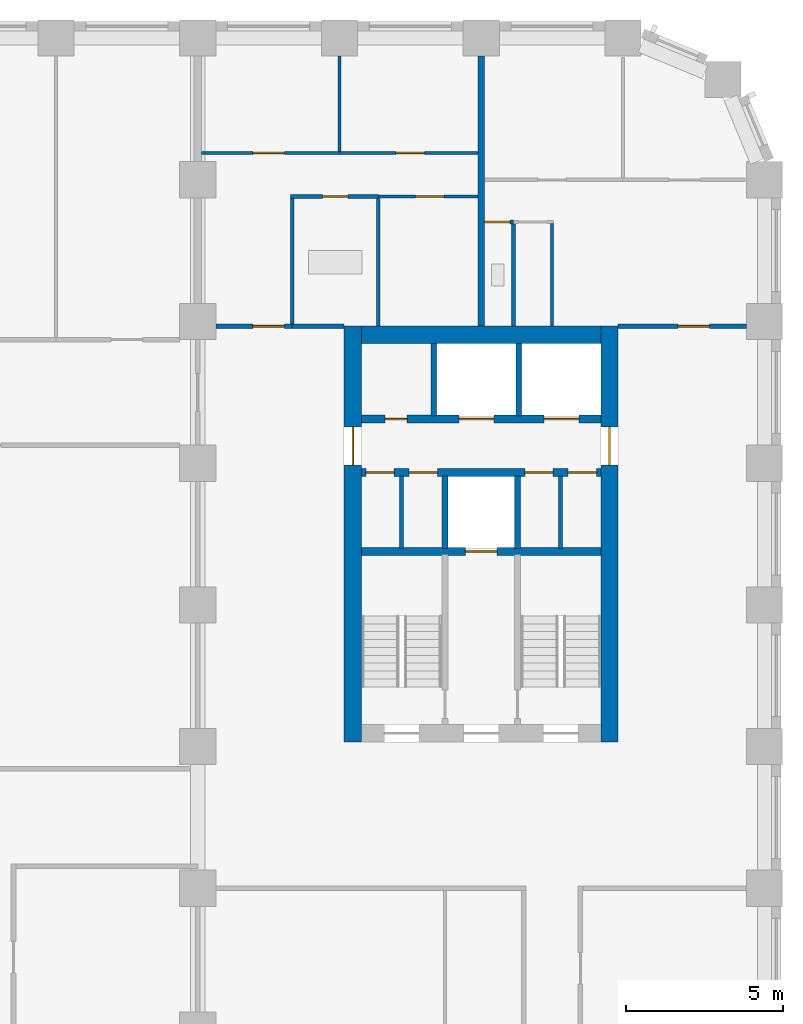
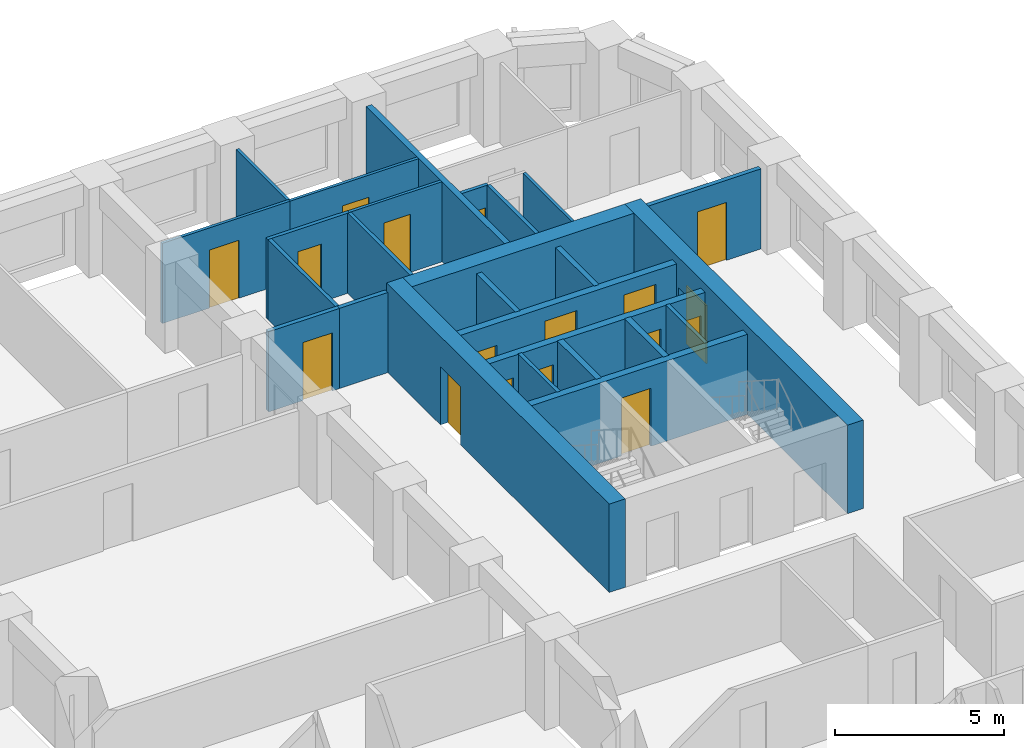
# One storey, part 8 of 12: 26 walls, 17 doors, 17 openings.
"""IFC4 building model written with IfcOpenShell, lengths in metres."""

import ifcopenshell
import ifcopenshell.guid

model = None  # the IFC model being written
_history = None  # IfcOwnerHistory: only IFC2X3 demands one
_inside = {}  # id of a spatial element -> (the spatial element, [elements in it])
_under = {}  # id of a project, library or spatial element -> (it, [spatial elements below it])
_declared = {}  # id of a project -> (the project, [libraries it declares])
_typed = {}  # id of a type object -> (the type object, [elements of that type])
_made_of = {}  # id of a material, layer set ... -> (it, [elements and type objects made of it])


def new_model(schema):
    """Start an empty IFC model of exactly this schema.

    Asked for "IFC4X3", IfcOpenShell would pick the latest addendum, in which some entities
    have other attributes; the version numbers below select the first issue.
    IFC2X3 requires an IfcOwnerHistory on every rooted entity: one is made here for all.
    """
    global model, _history
    if schema == "IFC4X3":
        model = ifcopenshell.file(schema_version=(4, 3, 0, 0))
    else:
        model = ifcopenshell.file(schema=schema)
    _inside.clear()
    _under.clear()
    _declared.clear()
    _typed.clear()
    _made_of.clear()
    _history = None
    if model.schema == "IFC2X3":
        org = make("IfcOrganization", Name="unknown")
        user = make(
            "IfcPersonAndOrganization",
            ThePerson=make("IfcPerson", FamilyName="unknown"),
            TheOrganization=org,
        )
        app = make(
            "IfcApplication",
            ApplicationDeveloper=org,
            Version="unknown",
            ApplicationFullName="unknown",
            ApplicationIdentifier="unknown",
        )
        _history = make(
            "IfcOwnerHistory",
            OwningUser=user,
            OwningApplication=app,
            ChangeAction="ADDED",
            CreationDate=0,
        )
    return model


def make(cls, **values):
    """One entity of the class cls with the attributes given. An attribute that is None is left unset."""
    return model.create_entity(
        cls, **{name: value for name, value in values.items() if value is not None}
    )


def rooted(cls, **values):
    """An entity with a GlobalId (a new one), such as an element, a storey or a relation."""
    return make(cls, GlobalId=ifcopenshell.guid.new(), OwnerHistory=_history, **values)


def si_unit(unit_type, name, prefix=None):
    """IfcSIUnit, for example si_unit("LENGTHUNIT", "METRE", prefix="MILLI")."""
    return make("IfcSIUnit", UnitType=unit_type, Prefix=prefix, Name=name)


def assignment(units):
    """IfcUnitAssignment: the units of a project."""
    return None if units is None else make("IfcUnitAssignment", Units=units)


def point(xyz):
    """IfcCartesianPoint."""
    return None if xyz is None else make("IfcCartesianPoint", Coordinates=xyz)


def direction(xyz):
    """IfcDirection."""
    return None if xyz is None else make("IfcDirection", DirectionRatios=xyz)


def frame(location, z_axis=None, x_axis=None):
    """IfcAxis2Placement3D, a coordinate frame: its origin and axes. An axis left out is left unset."""
    return make(
        "IfcAxis2Placement3D",
        Location=point(location),
        Axis=direction(z_axis),
        RefDirection=direction(x_axis),
    )


def frame_2d(location, x_axis=None):
    """IfcAxis2Placement2D, a coordinate frame in the plane: its origin and x axis."""
    return make(
        "IfcAxis2Placement2D", Location=point(location), RefDirection=direction(x_axis)
    )


def origin():
    """The frame at (0, 0, 0) with its axes left unset."""
    return frame((0.0, 0.0, 0.0))


def place(relative_to, where):
    """IfcLocalPlacement: puts the frame where relative to a parent placement (None: the world)."""
    return make(
        "IfcLocalPlacement", PlacementRelTo=relative_to, RelativePlacement=where
    )


def context(
    kind, dimensions, precision=None, world=None, true_north=None, identifier=None
):
    """IfcGeometricRepresentationContext, for example the 3D "Model" context."""
    return make(
        "IfcGeometricRepresentationContext",
        ContextIdentifier=identifier,
        ContextType=kind,
        CoordinateSpaceDimension=dimensions,
        Precision=precision,
        WorldCoordinateSystem=world,
        TrueNorth=true_north,
    )


def subcontext(parent, identifier, kind, view, scale=None):
    """IfcGeometricRepresentationSubContext, for example "Body" below "Model"."""
    return make(
        "IfcGeometricRepresentationSubContext",
        ContextIdentifier=identifier,
        ContextType=kind,
        ParentContext=parent,
        TargetScale=scale,
        TargetView=view,
    )


def project(units=None, contexts=None):
    """IfcProject with its units and contexts."""
    return rooted(
        "IfcProject",
        Name="project",
        RepresentationContexts=contexts,
        UnitsInContext=assignment(units),
    )


def spatial(cls, under=None, at=None, **own):
    """A site, building, storey or space (cls), placed at a placement, below another one or the project."""
    s = rooted(cls, ObjectPlacement=at, **own)
    if under is not None:
        _under.setdefault(under.id(), (under, []))[1].append(s)
    return s


def profile(cls, at=None, kind="AREA", **sizes):
    """A parametric profile (cls). Its sizes go by their IFC names, for example OverallWidth=200.0."""
    return make(cls, ProfileType=kind, Position=at, **sizes)


def rectangle(**sizes):
    """IfcRectangleProfileDef."""
    return profile("IfcRectangleProfileDef", **sizes)


def extrude(swept, where, along, depth):
    """IfcExtrudedAreaSolid: the profile swept, set in the frame where, extruded along a direction by depth."""
    return make(
        "IfcExtrudedAreaSolid",
        SweptArea=swept,
        Position=where,
        ExtrudedDirection=direction(along),
        Depth=depth,
    )


def shape(context_of_items, identifier, shape_type, items):
    """IfcShapeRepresentation: the items that make up one representation, for example the "Body"."""
    return make(
        "IfcShapeRepresentation",
        ContextOfItems=context_of_items,
        RepresentationIdentifier=identifier,
        RepresentationType=shape_type,
        Items=items,
    )


def material(Name=None, Category=None):
    """IfcMaterial."""
    return make("IfcMaterial", Name=Name, Category=Category)


def layer(
    of_material, thickness, ventilated=None, Name=None, Category=None, Priority=None
):
    """IfcMaterialLayer: one layer of a wall or slab, of a material (None: an air gap)."""
    return make(
        "IfcMaterialLayer",
        Material=of_material,
        LayerThickness=thickness,
        IsVentilated=ventilated,
        Name=Name,
        Category=Category,
        Priority=Priority,
    )


def layer_set(layers, Name=None):
    """IfcMaterialLayerSet."""
    return make("IfcMaterialLayerSet", MaterialLayers=layers, LayerSetName=Name)


def made_of(thing, what):
    """Note that an element or type object is made of a material, layer set ...; save() writes the relation."""
    if what is not None:
        _made_of.setdefault(what.id(), (what, []))[1].append(thing)
    return thing


def type_object(cls, material=None, **own):
    """A type object (cls), such as IfcWallType, which elements share."""
    return made_of(rooted(cls, **own), material)


def element(
    cls,
    number,
    at=None,
    inside=None,
    cuts=None,
    type_object=None,
    material=None,
    context=None,
    identifier="Body",
    shape_type=None,
    held_by="IfcProductDefinitionShape",
    body=None,
    shapes=None,
    **own,
):
    """One element of the class cls, such as IfcWall. Its Tag is "e" and its number.

    at: its placement. inside: the storey or other place that contains it. cuts: it is an
    opening in that element (IfcRelVoidsElement). A single representation is given by context,
    identifier, shape_type and body (its items); several are given by shapes. held_by: the class
    of the entity that holds the representations. save() writes the other relations.
    """
    e = rooted(cls, Tag="e%d" % number, ObjectPlacement=at, **own)
    if body is not None:
        shapes = [shape(context, identifier, shape_type, body)]
    if shapes is not None:
        e.Representation = make(held_by, Representations=shapes)
    if inside is not None:
        _inside.setdefault(inside.id(), (inside, []))[1].append(e)
    if cuts is not None:
        rooted(
            "IfcRelVoidsElement", RelatingBuildingElement=cuts, RelatedOpeningElement=e
        )
    if type_object is not None:
        _typed.setdefault(type_object.id(), (type_object, []))[1].append(e)
    return made_of(e, material)


def fill(opening, filler):
    """IfcRelFillsElement: the door or window that sits in an opening."""
    return rooted(
        "IfcRelFillsElement",
        RelatingOpeningElement=opening,
        RelatedBuildingElement=filler,
    )


def aggregate(whole, parts):
    """IfcRelAggregates: a whole, such as a stair, and the parts it consists of."""
    return rooted("IfcRelAggregates", RelatingObject=whole, RelatedObjects=parts)


def save(model, path):
    """Write the relations noted so far, then the file.

    IfcRelAggregates (storeys below a building ...), IfcRelContainedInSpatialStructure (elements
    in a storey), IfcRelDefinesByType, IfcRelAssociatesMaterial and IfcRelDeclares: one each for
    every whole, place, type object, material and project.
    """
    for whole, parts in _under.values():
        aggregate(whole, parts)
    for where, things in _inside.values():
        rooted(
            "IfcRelContainedInSpatialStructure",
            RelatedElements=things,
            RelatingStructure=where,
        )
    for kind, things in _typed.values():
        rooted("IfcRelDefinesByType", RelatedObjects=things, RelatingType=kind)
    for what, things in _made_of.values():
        rooted("IfcRelAssociatesMaterial", RelatedObjects=things, RelatingMaterial=what)
    for by, libraries in _declared.values():
        rooted("IfcRelDeclares", RelatingContext=by, RelatedDefinitions=libraries)
    model.write(path)


model = new_model("IFC4")

# Units and contexts
model_context = context("Model", 3, precision=1e-05, world=origin(), true_north=direction((0.0, 1.0)))
body_context = subcontext(model_context, "Body", "Model", "MODEL_VIEW")
ifc_project = project(units=[si_unit("LENGTHUNIT", "METRE"), si_unit("AREAUNIT", "SQUARE_METRE"), si_unit("VOLUMEUNIT", "CUBIC_METRE"), si_unit("PLANEANGLEUNIT", "RADIAN"), si_unit("MASSUNIT", "GRAM", prefix="KILO")], contexts=[model_context])

# Site, building, storey
site_placement = place(None, origin())
site = spatial("IfcSite", under=ifc_project, at=site_placement, CompositionType="ELEMENT")
building_placement = place(site_placement, origin())
building = spatial("IfcBuilding", under=site, at=building_placement, Name="Girih Gate Residences", CompositionType="ELEMENT")
storey_placement = place(building_placement, frame((0.0, 0.0, 115.199951171875)))
storey = spatial("IfcBuildingStorey", under=building, at=storey_placement, Name="L32", CompositionType="ELEMENT", Elevation=115.199951171875)

# Wall, opening, door
ifc_material_1 = material(Name="Gypsum board on steel studs", Category="steel")
ifc_layer_1 = layer(ifc_material_1, 0.14990234375)
ifc_layer_set_1 = layer_set([ifc_layer_1], Name="Compartment wall 150 mm")
wall_type_1 = type_object("IfcWallType", Name="Compartment wall 150 mm", PredefinedType="PARTITIONING", material=ifc_layer_set_1)
wall_1_placement = place(storey_placement, frame((44.85009765625, 40.35009765625, 0.0), z_axis=(0.0, 0.0, 1.0), x_axis=(1.0, 0.0, 0.0)))
wall_1 = element("IfcWall", 1, at=wall_1_placement, inside=storey, type_object=wall_type_1, Name="L32 partition", PredefinedType="PARTITIONING", context=body_context, shape_type="SweptSolid", body=[
    extrude(rectangle(XDim=4.074951171875, YDim=0.14990234375, at=frame_2d((2.03759765625, 0.0))), origin(), (0.0, 0.0, 1.0), 2.900146484375),
])
opening_1_placement = place(wall_1_placement, frame((1.89990234375, 0.0, 0.0)))
opening_1 = element("IfcOpeningElement", 2, at=opening_1_placement, cuts=wall_1, Name="Opening A32-033", PredefinedType="OPENING", context=body_context, shape_type="SweptSolid", body=[
    extrude(rectangle(XDim=1.0, YDim=2.10009765625, at=frame_2d((0.5, 1.050048828125))), frame((0.0, 0.0849609375, 0.0), z_axis=(0.0, -1.0, 0.0), x_axis=(1.0, 0.0, 0.0)), (0.0, 0.0, 1.0), 0.169921875),
])
ifc_material_2 = material(Name="Timber, fire-rated core", Category="wood")
door_type_1 = type_object("IfcDoorType", Name="Flat entrance door 1000x2100 FD30S", OperationType="NOTDEFINED", PredefinedType="DOOR", material=ifc_material_2)
door_1_placement = place(opening_1_placement, origin())
door_1 = element("IfcDoor", 3, at=door_1_placement, inside=storey, type_object=door_type_1, Name="Door A32-033", OperationType="SINGLE_SWING_RIGHT", OverallHeight=2.10009765625, OverallWidth=1.0, PredefinedType="DOOR", context=body_context, shape_type="SweptSolid", body=[
    extrude(rectangle(XDim=1.0, YDim=2.10009765625, at=frame_2d((0.5, 1.050048828125))), frame((0.0, 0.02490234375, 0.0), z_axis=(0.0, -1.0, 0.0), x_axis=(1.0, 0.0, 0.0)), (0.0, 0.0, 1.0), 0.050048828125),
])
fill(opening_1, door_1)

# Wall
wall_2_placement = place(storey_placement, frame((34.5, 40.35009765625, 0.0), z_axis=(0.0, 0.0, 1.0), x_axis=(1.0, 0.0, 0.0)))
element("IfcWall", 4, at=wall_2_placement, inside=storey, type_object=wall_type_1, Name="L32 partition", PredefinedType="PARTITIONING", context=body_context, shape_type="SweptSolid", body=[
    extrude(rectangle(XDim=1.64990234375, YDim=0.14990234375, at=frame_2d((0.824951171875, 0.0))), origin(), (0.0, 0.0, 1.0), 2.900146484375),
])

# Wall, opening, door
wall_3_placement = place(storey_placement, frame((32.074951171875, 40.35009765625, 0.0), z_axis=(0.0, 0.0, 1.0), x_axis=(1.0, 0.0, 0.0)))
wall_3 = element("IfcWall", 5, at=wall_3_placement, inside=storey, type_object=wall_type_1, Name="L32 partition", PredefinedType="PARTITIONING", context=body_context, shape_type="SweptSolid", body=[
    extrude(rectangle(XDim=2.425048828125, YDim=0.14990234375, at=frame_2d((1.21240234375, 0.0))), origin(), (0.0, 0.0, 1.0), 2.900146484375),
])
opening_2_placement = place(wall_3_placement, frame((1.175048828125, 0.0, 0.0)))
opening_2 = element("IfcOpeningElement", 6, at=opening_2_placement, cuts=wall_3, Name="Opening A32-038", PredefinedType="OPENING", context=body_context, shape_type="SweptSolid", body=[
    extrude(rectangle(XDim=1.0, YDim=2.10009765625, at=frame_2d((0.5, 1.050048828125))), frame((0.0, 0.0849609375, 0.0), z_axis=(0.0, -1.0, 0.0), x_axis=(1.0, 0.0, 0.0)), (0.0, 0.0, 1.0), 0.169921875),
])
door_2_placement = place(opening_2_placement, origin())
door_2 = element("IfcDoor", 7, at=door_2_placement, inside=storey, type_object=door_type_1, Name="Door A32-038", OperationType="SINGLE_SWING_RIGHT", OverallHeight=2.10009765625, OverallWidth=1.0, PredefinedType="DOOR", context=body_context, shape_type="SweptSolid", body=[
    extrude(rectangle(XDim=1.0, YDim=2.10009765625, at=frame_2d((0.5, 1.050048828125))), frame((0.0, 0.02490234375, 0.0), z_axis=(0.0, -1.0, 0.0), x_axis=(1.0, 0.0, 0.0)), (0.0, 0.0, 1.0), 0.050048828125),
])
fill(opening_2, door_2)

# Wall
ifc_material_3 = material(Name="Concrete C60/75", Category="concrete")
ifc_layer_2 = layer(ifc_material_3, 0.550048828125)
ifc_layer_set_2 = layer_set([ifc_layer_2], Name="Core wall RC 550 Concrete C60/75")
wall_type_2 = type_object("IfcWallType", Name="Core wall RC 550 Concrete C60/75", PredefinedType="SOLIDWALL", material=ifc_layer_set_2)
wall_4_placement = place(storey_placement, frame((36.699951171875, 40.074951171875, 0.0), z_axis=(0.0, 0.0, 1.0), x_axis=(1.0, 0.0, 0.0)))
element("IfcWall", 8, at=wall_4_placement, inside=storey, type_object=wall_type_2, Name="Core wall E-N L32", PredefinedType="SOLIDWALL", context=body_context, shape_type="SweptSolid", body=[
    extrude(rectangle(XDim=7.60009765625, YDim=0.550048828125, at=frame_2d((3.800048828125, 0.0))), origin(), (0.0, 0.0, 1.0), 3.199951171875),
])

# Wall, opening, door
wall_5_placement = place(storey_placement, frame((36.425048828125, 27.14990234375, 0.0), z_axis=(0.0, 0.0, 1.0), x_axis=(0.0, 1.0, 0.0)))
wall_5 = element("IfcWall", 9, at=wall_5_placement, inside=storey, type_object=wall_type_2, Name="Core wall E-W L32", PredefinedType="SOLIDWALL", context=body_context, shape_type="SweptSolid", body=[
    extrude(rectangle(XDim=13.2001953125, YDim=0.550048828125, at=frame_2d((6.60009765625, 0.0))), origin(), (0.0, 0.0, 1.0), 3.199951171875),
])
opening_3_placement = place(wall_5_placement, frame((8.800048828125, 0.0, 0.0)))
opening_3 = element("IfcOpeningElement", 10, at=opening_3_placement, cuts=wall_5, Name="Opening D-L32-E-014", PredefinedType="OPENING", context=body_context, shape_type="SweptSolid", body=[
    extrude(rectangle(XDim=1.199951171875, YDim=2.10009765625, at=frame_2d((0.60009765625, 1.050048828125))), frame((0.0, 0.284912109375, 0.0), z_axis=(0.0, -1.0, 0.0), x_axis=(1.0, 0.0, 0.0)), (0.0, 0.0, 1.0), 0.570068359375),
])
ifc_material_4 = material(Name="Painted steel, fire-resisting", Category="steel")
door_type_2 = type_object("IfcDoorType", Name="Fire door 1200x2100", OperationType="SINGLE_SWING_LEFT", PredefinedType="DOOR", material=ifc_material_4)
door_3_placement = place(opening_3_placement, origin())
door_3 = element("IfcDoor", 11, at=door_3_placement, inside=storey, type_object=door_type_2, Name="L32 E core door ll-w", OperationType="SINGLE_SWING_LEFT", OverallHeight=2.10009765625, OverallWidth=1.199951171875, PredefinedType="DOOR", context=body_context, shape_type="SweptSolid", body=[
    extrude(rectangle(XDim=1.199951171875, YDim=2.10009765625, at=frame_2d((0.60009765625, 1.050048828125))), frame((0.0, 0.02490234375, 0.0), z_axis=(0.0, -1.0, 0.0), x_axis=(1.0, 0.0, 0.0)), (0.0, 0.0, 1.0), 0.050048828125),
])
fill(opening_3, door_3)

wall_6_placement = place(storey_placement, frame((44.574951171875, 27.14990234375, 0.0), z_axis=(0.0, 0.0, 1.0), x_axis=(0.0, 1.0, 0.0)))
wall_6 = element("IfcWall", 12, at=wall_6_placement, inside=storey, type_object=wall_type_2, Name="Core wall E-E L32", PredefinedType="SOLIDWALL", context=body_context, shape_type="SweptSolid", body=[
    extrude(rectangle(XDim=13.2001953125, YDim=0.550048828125, at=frame_2d((6.60009765625, 0.0))), origin(), (0.0, 0.0, 1.0), 3.199951171875),
])
opening_4_placement = place(wall_6_placement, frame((8.800048828125, 0.0, 0.0)))
opening_4 = element("IfcOpeningElement", 13, at=opening_4_placement, cuts=wall_6, Name="Opening D-L32-E-015", PredefinedType="OPENING", context=body_context, shape_type="SweptSolid", body=[
    extrude(rectangle(XDim=1.199951171875, YDim=2.10009765625, at=frame_2d((0.60009765625, 1.050048828125))), frame((0.0, 0.284912109375, 0.0), z_axis=(0.0, -1.0, 0.0), x_axis=(1.0, 0.0, 0.0)), (0.0, 0.0, 1.0), 0.570068359375),
])
door_4_placement = place(opening_4_placement, origin())
door_4 = element("IfcDoor", 14, at=door_4_placement, inside=storey, type_object=door_type_2, Name="L32 E core door ll-e", OperationType="SINGLE_SWING_LEFT", OverallHeight=2.10009765625, OverallWidth=1.199951171875, PredefinedType="DOOR", context=body_context, shape_type="SweptSolid", body=[
    extrude(rectangle(XDim=1.199951171875, YDim=2.10009765625, at=frame_2d((0.60009765625, 1.050048828125))), frame((0.0, 0.02490234375, 0.0), z_axis=(0.0, -1.0, 0.0), x_axis=(1.0, 0.0, 0.0)), (0.0, 0.0, 1.0), 0.050048828125),
])
fill(opening_4, door_4)

ifc_material_5 = material(Name="Concrete C40/50", Category="concrete")
ifc_layer_3 = layer(ifc_material_5, 0.25)
ifc_layer_set_3 = layer_set([ifc_layer_3], Name="Lift shaft wall 250")
wall_type_3 = type_object("IfcWallType", Name="Lift shaft wall 250", PredefinedType="SOLIDWALL", material=ifc_layer_set_3)
wall_7_placement = place(storey_placement, frame((36.699951171875, 33.199951171875, 0.0), z_axis=(0.0, 0.0, 1.0), x_axis=(1.0, 0.0, 0.0)))
wall_7 = element("IfcWall", 15, at=wall_7_placement, inside=storey, type_object=wall_type_3, Name="L32 E core wall H1", PredefinedType="SOLIDWALL", context=body_context, shape_type="SweptSolid", body=[
    extrude(rectangle(XDim=7.60009765625, YDim=0.25, at=frame_2d((3.800048828125, 0.0))), origin(), (0.0, 0.0, 1.0), 2.900146484375),
])
opening_5_placement = place(wall_7_placement, frame((3.300048828125, 0.0, 0.0)))
opening_5 = element("IfcOpeningElement", 16, at=opening_5_placement, cuts=wall_7, Name="Opening D-L32-E-005", PredefinedType="OPENING", context=body_context, shape_type="SweptSolid", body=[
    extrude(rectangle(XDim=1.0, YDim=2.10009765625, at=frame_2d((0.5, 1.050048828125))), frame((0.0, 0.135009765625, 0.0), z_axis=(0.0, -1.0, 0.0), x_axis=(1.0, 0.0, 0.0)), (0.0, 0.0, 1.0), 0.27001953125),
])
ifc_material_6 = material(Name="Stainless steel, fire-resisting", Category="steel")
door_type_3 = type_object("IfcDoorType", Name="Firefighting lift landing door 1000x2100", OperationType="SLIDING_TO_LEFT", PredefinedType="DOOR", material=ifc_material_6)
door_5_placement = place(opening_5_placement, origin())
door_5 = element("IfcDoor", 17, at=door_5_placement, inside=storey, type_object=door_type_3, Name="L32 lift FF-E landing door", OperationType="SLIDING_TO_LEFT", OverallHeight=2.10009765625, OverallWidth=1.0, PredefinedType="DOOR", context=body_context, shape_type="SweptSolid", body=[
    extrude(rectangle(XDim=1.0, YDim=2.10009765625, at=frame_2d((0.5, 1.050048828125))), frame((0.0, 0.02490234375, 0.0), z_axis=(0.0, -1.0, 0.0), x_axis=(1.0, 0.0, 0.0)), (0.0, 0.0, 1.0), 0.050048828125),
])
fill(opening_5, door_5)

# Wall, openings, doors
wall_8_placement = place(storey_placement, frame((36.699951171875, 35.699951171875, 0.0), z_axis=(0.0, 0.0, 1.0), x_axis=(1.0, 0.0, 0.0)))
wall_8 = element("IfcWall", 18, at=wall_8_placement, inside=storey, type_object=wall_type_3, Name="L32 E core wall H2", PredefinedType="SOLIDWALL", context=body_context, shape_type="SweptSolid", body=[
    extrude(rectangle(XDim=7.60009765625, YDim=0.25, at=frame_2d((3.800048828125, 0.0))), origin(), (0.0, 0.0, 1.0), 2.900146484375),
])
opening_6_placement = place(wall_8_placement, frame((6.5625, 0.0, 0.0)))
opening_6 = element("IfcOpeningElement", 19, at=opening_6_placement, cuts=wall_8, Name="Opening D-L32-E-007", PredefinedType="OPENING", context=body_context, shape_type="SweptSolid", body=[
    extrude(rectangle(XDim=0.89990234375, YDim=2.10009765625, at=frame_2d((0.449951171875, 1.050048828125))), frame((0.0, 0.135009765625, 0.0), z_axis=(0.0, -1.0, 0.0), x_axis=(1.0, 0.0, 0.0)), (0.0, 0.0, 1.0), 0.27001953125),
])
opening_7_placement = place(wall_8_placement, frame((5.1875, 0.0, 0.0)))
opening_7 = element("IfcOpeningElement", 20, at=opening_7_placement, cuts=wall_8, Name="Opening D-L32-E-008", PredefinedType="OPENING", context=body_context, shape_type="SweptSolid", body=[
    extrude(rectangle(XDim=0.89990234375, YDim=2.10009765625, at=frame_2d((0.449951171875, 1.050048828125))), frame((0.0, 0.135009765625, 0.0), z_axis=(0.0, -1.0, 0.0), x_axis=(1.0, 0.0, 0.0)), (0.0, 0.0, 1.0), 0.27001953125),
])
opening_8_placement = place(wall_8_placement, frame((1.512451171875, 0.0, 0.0)))
opening_8 = element("IfcOpeningElement", 21, at=opening_8_placement, cuts=wall_8, Name="Opening D-L32-E-009", PredefinedType="OPENING", context=body_context, shape_type="SweptSolid", body=[
    extrude(rectangle(XDim=0.89990234375, YDim=2.10009765625, at=frame_2d((0.449951171875, 1.050048828125))), frame((0.0, 0.135009765625, 0.0), z_axis=(0.0, -1.0, 0.0), x_axis=(1.0, 0.0, 0.0)), (0.0, 0.0, 1.0), 0.27001953125),
])
opening_9_placement = place(wall_8_placement, frame((0.137451171875, 0.0, 0.0)))
opening_9 = element("IfcOpeningElement", 22, at=opening_9_placement, cuts=wall_8, Name="Opening D-L32-E-010", PredefinedType="OPENING", context=body_context, shape_type="SweptSolid", body=[
    extrude(rectangle(XDim=0.89990234375, YDim=2.10009765625, at=frame_2d((0.449951171875, 1.050048828125))), frame((0.0, 0.135009765625, 0.0), z_axis=(0.0, -1.0, 0.0), x_axis=(1.0, 0.0, 0.0)), (0.0, 0.0, 1.0), 0.27001953125),
])
door_type_4 = type_object("IfcDoorType", Name="Fire door 900x2100", OperationType="SINGLE_SWING_LEFT", PredefinedType="DOOR", material=ifc_material_4)
door_6_placement = place(opening_6_placement, origin())
door_6 = element("IfcDoor", 23, at=door_6_placement, inside=storey, type_object=door_type_4, Name="L32 E maintenance store door", OperationType="SINGLE_SWING_LEFT", OverallHeight=2.10009765625, OverallWidth=0.89990234375, PredefinedType="DOOR", context=body_context, shape_type="SweptSolid", body=[
    extrude(rectangle(XDim=0.89990234375, YDim=2.10009765625, at=frame_2d((0.449951171875, 1.050048828125))), frame((0.0, 0.02490234375, 0.0), z_axis=(0.0, -1.0, 0.0), x_axis=(1.0, 0.0, 0.0)), (0.0, 0.0, 1.0), 0.050048828125),
])
fill(opening_6, door_6)
door_7_placement = place(opening_7_placement, origin())
door_7 = element("IfcDoor", 24, at=door_7_placement, inside=storey, type_object=door_type_4, Name="L32 E electrical room door", OperationType="SINGLE_SWING_LEFT", OverallHeight=2.10009765625, OverallWidth=0.89990234375, PredefinedType="DOOR", context=body_context, shape_type="SweptSolid", body=[
    extrude(rectangle(XDim=0.89990234375, YDim=2.10009765625, at=frame_2d((0.449951171875, 1.050048828125))), frame((0.0, 0.02490234375, 0.0), z_axis=(0.0, -1.0, 0.0), x_axis=(1.0, 0.0, 0.0)), (0.0, 0.0, 1.0), 0.050048828125),
])
fill(opening_7, door_7)
door_8_placement = place(opening_8_placement, origin())
door_8 = element("IfcDoor", 25, at=door_8_placement, inside=storey, type_object=door_type_4, Name="L32 E linen store door", OperationType="SINGLE_SWING_LEFT", OverallHeight=2.10009765625, OverallWidth=0.89990234375, PredefinedType="DOOR", context=body_context, shape_type="SweptSolid", body=[
    extrude(rectangle(XDim=0.89990234375, YDim=2.10009765625, at=frame_2d((0.449951171875, 1.050048828125))), frame((0.0, 0.02490234375, 0.0), z_axis=(0.0, -1.0, 0.0), x_axis=(1.0, 0.0, 0.0)), (0.0, 0.0, 1.0), 0.050048828125),
])
fill(opening_8, door_8)
door_9_placement = place(opening_9_placement, origin())
door_9 = element("IfcDoor", 26, at=door_9_placement, inside=storey, type_object=door_type_4, Name="L32 E store door", OperationType="SINGLE_SWING_LEFT", OverallHeight=2.10009765625, OverallWidth=0.89990234375, PredefinedType="DOOR", context=body_context, shape_type="SweptSolid", body=[
    extrude(rectangle(XDim=0.89990234375, YDim=2.10009765625, at=frame_2d((0.449951171875, 1.050048828125))), frame((0.0, 0.02490234375, 0.0), z_axis=(0.0, -1.0, 0.0), x_axis=(1.0, 0.0, 0.0)), (0.0, 0.0, 1.0), 0.050048828125),
])
fill(opening_9, door_9)

wall_9_placement = place(storey_placement, frame((36.699951171875, 37.39990234375, 0.0), z_axis=(0.0, 0.0, 1.0), x_axis=(1.0, 0.0, 0.0)))
wall_9 = element("IfcWall", 27, at=wall_9_placement, inside=storey, type_object=wall_type_3, Name="L32 E core wall H3", PredefinedType="SOLIDWALL", context=body_context, shape_type="SweptSolid", body=[
    extrude(rectangle(XDim=7.60009765625, YDim=0.25, at=frame_2d((3.800048828125, 0.0))), origin(), (0.0, 0.0, 1.0), 2.900146484375),
])
opening_10_placement = place(wall_9_placement, frame((5.800048828125, 0.0, 0.0)))
opening_10 = element("IfcOpeningElement", 28, at=opening_10_placement, cuts=wall_9, Name="Opening D-L32-E-003", PredefinedType="OPENING", context=body_context, shape_type="SweptSolid", body=[
    extrude(rectangle(XDim=1.10009765625, YDim=2.39990234375, at=frame_2d((0.550048828125, 1.199951171875))), frame((0.0, 0.135009765625, 0.0), z_axis=(0.0, -1.0, 0.0), x_axis=(1.0, 0.0, 0.0)), (0.0, 0.0, 1.0), 0.27001953125),
])
opening_11_placement = place(wall_9_placement, frame((3.10009765625, 0.0, 0.0)))
opening_11 = element("IfcOpeningElement", 29, at=opening_11_placement, cuts=wall_9, Name="Opening D-L32-E-004", PredefinedType="OPENING", context=body_context, shape_type="SweptSolid", body=[
    extrude(rectangle(XDim=1.10009765625, YDim=2.39990234375, at=frame_2d((0.550048828125, 1.199951171875))), frame((0.0, 0.135009765625, 0.0), z_axis=(0.0, -1.0, 0.0), x_axis=(1.0, 0.0, 0.0)), (0.0, 0.0, 1.0), 0.27001953125),
])
opening_12_placement = place(wall_9_placement, frame((0.75, 0.0, 0.0)))
opening_12 = element("IfcOpeningElement", 30, at=opening_12_placement, cuts=wall_9, Name="Opening D-L32-E-006", PredefinedType="OPENING", context=body_context, shape_type="SweptSolid", body=[
    extrude(rectangle(XDim=0.699951171875, YDim=2.10009765625, at=frame_2d((0.35009765625, 1.050048828125))), frame((0.0, 0.135009765625, 0.0), z_axis=(0.0, -1.0, 0.0), x_axis=(1.0, 0.0, 0.0)), (0.0, 0.0, 1.0), 0.27001953125),
])
ifc_material_7 = material(Name="Stainless steel", Category="steel")
door_type_5 = type_object("IfcDoorType", Name="Lift landing door 1100x2400", OperationType="SLIDING_TO_LEFT", PredefinedType="DOOR", material=ifc_material_7)
door_10_placement = place(opening_10_placement, origin())
door_10 = element("IfcDoor", 31, at=door_10_placement, inside=storey, type_object=door_type_5, Name="L32 lift LR-E1 landing door", OperationType="SLIDING_TO_LEFT", OverallHeight=2.39990234375, OverallWidth=1.10009765625, PredefinedType="DOOR", context=body_context, shape_type="SweptSolid", body=[
    extrude(rectangle(XDim=1.10009765625, YDim=2.39990234375, at=frame_2d((0.550048828125, 1.199951171875))), frame((0.0, 0.02490234375, 0.0), z_axis=(0.0, -1.0, 0.0), x_axis=(1.0, 0.0, 0.0)), (0.0, 0.0, 1.0), 0.050048828125),
])
fill(opening_10, door_10)
door_11_placement = place(opening_11_placement, origin())
door_11 = element("IfcDoor", 32, at=door_11_placement, inside=storey, type_object=door_type_5, Name="L32 lift LR-E2 landing door", OperationType="SLIDING_TO_LEFT", OverallHeight=2.39990234375, OverallWidth=1.10009765625, PredefinedType="DOOR", context=body_context, shape_type="SweptSolid", body=[
    extrude(rectangle(XDim=1.10009765625, YDim=2.39990234375, at=frame_2d((0.550048828125, 1.199951171875))), frame((0.0, 0.02490234375, 0.0), z_axis=(0.0, -1.0, 0.0), x_axis=(1.0, 0.0, 0.0)), (0.0, 0.0, 1.0), 0.050048828125),
])
fill(opening_11, door_11)
door_type_6 = type_object("IfcDoorType", Name="Riser access door 700x2100", OperationType="SINGLE_SWING_LEFT", PredefinedType="DOOR", material=ifc_material_4)
door_12_placement = place(opening_12_placement, origin())
door_12 = element("IfcDoor", 33, at=door_12_placement, inside=storey, type_object=door_type_6, Name="L32 E riser room door", OperationType="SINGLE_SWING_LEFT", OverallHeight=2.10009765625, OverallWidth=0.699951171875, PredefinedType="DOOR", context=body_context, shape_type="SweptSolid", body=[
    extrude(rectangle(XDim=0.699951171875, YDim=2.10009765625, at=frame_2d((0.35009765625, 1.050048828125))), frame((0.0, 0.02490234375, 0.0), z_axis=(0.0, -1.0, 0.0), x_axis=(1.0, 0.0, 0.0)), (0.0, 0.0, 1.0), 0.050048828125),
])
fill(opening_12, door_12)

# Wall
ifc_layer_4 = layer(ifc_material_1, 0.10009765625)
ifc_layer_set_4 = layer_set([ifc_layer_4], Name="Partition 100 mm")
wall_type_4 = type_object("IfcWallType", Name="Partition 100 mm", PredefinedType="PARTITIONING", material=ifc_layer_set_4)
wall_10_placement = place(storey_placement, frame((42.75, 40.35009765625, 0.0), z_axis=(0.0, 0.0, 1.0), x_axis=(0.0, 1.0, 0.0)))
element("IfcWall", 34, at=wall_10_placement, inside=storey, type_object=wall_type_4, Name="L32 partition", PredefinedType="PARTITIONING", context=body_context, shape_type="SweptSolid", body=[
    extrude(rectangle(XDim=3.260009765625, YDim=0.10009765625, at=frame_2d((1.6298828125, 0.0))), origin(), (0.0, 0.0, 1.0), 2.900146484375),
])

# Wall, opening, door
wall_11_placement = place(storey_placement, frame((36.0, 45.85498046875, 0.0), z_axis=(0.0, 0.0, 1.0), x_axis=(1.0, 0.0, 0.0)))
wall_11 = element("IfcWall", 35, at=wall_11_placement, inside=storey, type_object=wall_type_4, Name="L32 partition", PredefinedType="PARTITIONING", context=body_context, shape_type="SweptSolid", body=[
    extrude(rectangle(XDim=4.39990234375, YDim=0.10009765625, at=frame_2d((2.199951171875, 0.0))), origin(), (0.0, 0.0, 1.0), 2.900146484375),
])
opening_13_placement = place(wall_11_placement, frame((1.800048828125, 0.0, 0.0)))
opening_13 = element("IfcOpeningElement", 36, at=opening_13_placement, cuts=wall_11, Name="Opening A32-035", PredefinedType="OPENING", context=body_context, shape_type="SweptSolid", body=[
    extrude(rectangle(XDim=0.89990234375, YDim=2.10009765625, at=frame_2d((0.449951171875, 1.050048828125))), frame((0.0, 0.06005859375, 0.0), z_axis=(0.0, -1.0, 0.0), x_axis=(1.0, 0.0, 0.0)), (0.0, 0.0, 1.0), 0.1201171875),
])
ifc_material_8 = material(Name="Timber", Category="wood")
door_type_7 = type_object("IfcDoorType", Name="Bedroom door 900x2100", OperationType="NOTDEFINED", PredefinedType="DOOR", material=ifc_material_8)
door_13_placement = place(opening_13_placement, origin())
door_13 = element("IfcDoor", 37, at=door_13_placement, inside=storey, type_object=door_type_7, Name="Door A32-035", OperationType="SINGLE_SWING_RIGHT", OverallHeight=2.10009765625, OverallWidth=0.89990234375, PredefinedType="DOOR", context=body_context, shape_type="SweptSolid", body=[
    extrude(rectangle(XDim=0.89990234375, YDim=2.10009765625, at=frame_2d((0.449951171875, 1.050048828125))), frame((0.0, 0.02490234375, 0.0), z_axis=(0.0, -1.0, 0.0), x_axis=(1.0, 0.0, 0.0)), (0.0, 0.0, 1.0), 0.050048828125),
])
fill(opening_13, door_13)

# Wall
wall_12_placement = place(storey_placement, frame((36.0, 45.905029296875, 0.0), z_axis=(0.0, 0.0, 1.0), x_axis=(0.0, 1.0, 0.0)))
element("IfcWall", 38, at=wall_12_placement, inside=storey, type_object=wall_type_4, Name="L32 partition", PredefinedType="PARTITIONING", context=body_context, shape_type="SweptSolid", body=[
    extrude(rectangle(XDim=3.02001953125, YDim=0.10009765625, at=frame_2d((1.510009765625, 0.0))), origin(), (0.0, 0.0, 1.0), 2.900146484375),
])

# Wall, opening, door
wall_13_placement = place(storey_placement, frame((40.39990234375, 44.47509765625, 0.0), z_axis=(0.0, 0.0, 1.0), x_axis=(-1.0, 0.0, 0.0)))
wall_13 = element("IfcWall", 39, at=wall_13_placement, inside=storey, type_object=wall_type_4, Name="L32 partition", PredefinedType="PARTITIONING", context=body_context, shape_type="SweptSolid", body=[
    extrude(rectangle(XDim=3.16845703125, YDim=0.10009765625, at=frame_2d((1.584228515625, 0.0))), origin(), (0.0, 0.0, 1.0), 2.900146484375),
])
opening_14_placement = place(wall_13_placement, frame((1.084228515625, 0.0, 0.0)))
opening_14 = element("IfcOpeningElement", 40, at=opening_14_placement, cuts=wall_13, Name="Opening A32-036", PredefinedType="OPENING", context=body_context, shape_type="SweptSolid", body=[
    extrude(rectangle(XDim=0.89990234375, YDim=2.10009765625, at=frame_2d((0.449951171875, 1.050048828125))), frame((0.0, 0.06005859375, 0.0), z_axis=(0.0, -1.0, 0.0), x_axis=(1.0, 0.0, 0.0)), (0.0, 0.0, 1.0), 0.1201171875),
])
door_type_8 = type_object("IfcDoorType", Name="Kitchen door 900x2100", OperationType="NOTDEFINED", PredefinedType="DOOR", material=ifc_material_8)
door_14_placement = place(opening_14_placement, origin())
door_14 = element("IfcDoor", 41, at=door_14_placement, inside=storey, type_object=door_type_8, Name="Door A32-036", OperationType="SINGLE_SWING_LEFT", OverallHeight=2.10009765625, OverallWidth=0.89990234375, PredefinedType="DOOR", context=body_context, shape_type="SweptSolid", body=[
    extrude(rectangle(XDim=0.89990234375, YDim=2.10009765625, at=frame_2d((0.449951171875, 1.050048828125))), frame((0.0, 0.02490234375, 0.0), z_axis=(0.0, -1.0, 0.0), x_axis=(1.0, 0.0, 0.0)), (0.0, 0.0, 1.0), 0.050048828125),
])
fill(opening_14, door_14)

wall_14_placement = place(storey_placement, frame((31.625, 45.85498046875, 0.0), z_axis=(0.0, 0.0, 1.0), x_axis=(1.0, 0.0, 0.0)))
wall_14 = element("IfcWall", 42, at=wall_14_placement, inside=storey, type_object=wall_type_4, Name="L32 partition", PredefinedType="PARTITIONING", context=body_context, shape_type="SweptSolid", body=[
    extrude(rectangle(XDim=4.375, YDim=0.10009765625, at=frame_2d((2.1875, 0.0))), origin(), (0.0, 0.0, 1.0), 2.900146484375),
])
opening_15_placement = place(wall_14_placement, frame((1.625, 0.0, 0.0)))
opening_15 = element("IfcOpeningElement", 43, at=opening_15_placement, cuts=wall_14, Name="Opening A32-037", PredefinedType="OPENING", context=body_context, shape_type="SweptSolid", body=[
    extrude(rectangle(XDim=1.0, YDim=2.10009765625, at=frame_2d((0.5, 1.050048828125))), frame((0.0, 0.06005859375, 0.0), z_axis=(0.0, -1.0, 0.0), x_axis=(1.0, 0.0, 0.0)), (0.0, 0.0, 1.0), 0.1201171875),
])
door_type_9 = type_object("IfcDoorType", Name="Living room door 1000x2100", OperationType="NOTDEFINED", PredefinedType="DOOR", material=ifc_material_8)
door_15_placement = place(opening_15_placement, origin())
door_15 = element("IfcDoor", 44, at=door_15_placement, inside=storey, type_object=door_type_9, Name="Door A32-037", OperationType="SINGLE_SWING_LEFT", OverallHeight=2.10009765625, OverallWidth=1.0, PredefinedType="DOOR", context=body_context, shape_type="SweptSolid", body=[
    extrude(rectangle(XDim=1.0, YDim=2.10009765625, at=frame_2d((0.5, 1.050048828125))), frame((0.0, 0.02490234375, 0.0), z_axis=(0.0, -1.0, 0.0), x_axis=(1.0, 0.0, 0.0)), (0.0, 0.0, 1.0), 0.050048828125),
])
fill(opening_15, door_15)

# Walls
ifc_layer_5 = layer(ifc_material_1, 0.199951171875)
ifc_layer_set_5 = layer_set([ifc_layer_5], Name="Party wall 200 mm")
wall_type_5 = type_object("IfcWallType", Name="Party wall 200 mm", PredefinedType="PARTITIONING", material=ifc_layer_set_5)
wall_15_placement = place(storey_placement, frame((40.5, 40.35009765625, 0.0), z_axis=(0.0, 0.0, 1.0), x_axis=(0.0, 1.0, 0.0)))
element("IfcWall", 45, at=wall_15_placement, inside=storey, type_object=wall_type_5, Name="L32 partition", PredefinedType="PARTITIONING", context=body_context, shape_type="SweptSolid", body=[
    extrude(rectangle(XDim=8.574951171875, YDim=0.199951171875, at=frame_2d((4.28759765625, 0.0))), origin(), (0.0, 0.0, 1.0), 2.900146484375),
])
ifc_layer_6 = layer(ifc_material_5, 0.175048828125)
ifc_layer_set_6 = layer_set([ifc_layer_6], Name="Riser shaft wall 175")
wall_type_6 = type_object("IfcWallType", Name="Riser shaft wall 175", PredefinedType="SOLIDWALL", material=ifc_layer_set_6)
for number, where, z_axis, x_axis, name in (
    (46, (41.699951171875, 37.5, 0.0), (0.0, 0.0, 1.0), (0.0, 1.0, 0.0), "L32 E core wall V1c"),
    (47, (39.0, 37.5, 0.0), (0.0, 0.0, 1.0), (0.0, 1.0, 0.0), "L32 E core wall V2c"),
):
    element("IfcWall", number, at=place(storey_placement, frame(where, z_axis=z_axis, x_axis=x_axis)), inside=storey, type_object=wall_type_6, Name=name, PredefinedType="SOLIDWALL", context=body_context, shape_type="SweptSolid", body=[
        extrude(rectangle(XDim=2.300048828125, YDim=0.175048828125, at=frame_2d((1.14990234375, 0.0))), origin(), (0.0, 0.0, 1.0), 2.900146484375),
    ])
ifc_layer_7 = layer(ifc_material_5, 0.199951171875)
ifc_layer_set_7 = layer_set([ifc_layer_7], Name="Shaft wall 200")
wall_type_7 = type_object("IfcWallType", Name="Shaft wall 200", PredefinedType="SOLIDWALL", material=ifc_layer_set_7)
for number, where, z_axis, x_axis, name in (
    (48, (41.64990234375, 33.300048828125, 0.0), (0.0, 0.0, 1.0), (0.0, 1.0, 0.0), "L32 E core wall V1b"),
    (49, (39.35009765625, 33.300048828125, 0.0), (0.0, 0.0, 1.0), (0.0, 1.0, 0.0), "L32 E core wall V2b"),
):
    element("IfcWall", number, at=place(storey_placement, frame(where, z_axis=z_axis, x_axis=x_axis)), inside=storey, type_object=wall_type_7, Name=name, PredefinedType="SOLIDWALL", context=body_context, shape_type="SweptSolid", body=[
        extrude(rectangle(XDim=2.300048828125, YDim=0.199951171875, at=frame_2d((1.14990234375, 0.0))), origin(), (0.0, 0.0, 1.0), 2.900146484375),
    ])
ifc_material_9 = material(Name="Calcium silicate blockwork", Category="masonry")
ifc_layer_8 = layer(ifc_material_9, 0.125)
ifc_layer_set_8 = layer_set([ifc_layer_8], Name="Store partition 125")
wall_type_8 = type_object("IfcWallType", Name="Store partition 125", PredefinedType="PARTITIONING", material=ifc_layer_set_8)
for number, where, z_axis, x_axis, name in (
    (50, (43.02490234375, 33.300048828125, 0.0), (0.0, 0.0, 1.0), (0.0, 1.0, 0.0), "L32 E core wall SHR1"),
    (51, (37.97509765625, 33.300048828125, 0.0), (0.0, 0.0, 1.0), (0.0, 1.0, 0.0), "L32 E core wall SHR2"),
):
    element("IfcWall", number, at=place(storey_placement, frame(where, z_axis=z_axis, x_axis=x_axis)), inside=storey, type_object=wall_type_8, Name=name, PredefinedType="PARTITIONING", context=body_context, shape_type="SweptSolid", body=[
        extrude(rectangle(XDim=2.300048828125, YDim=0.125, at=frame_2d((1.14990234375, 0.0))), origin(), (0.0, 0.0, 1.0), 2.900146484375),
    ])

# Wall, opening, door
ifc_layer_9 = layer(ifc_material_1, 0.125)
ifc_layer_set_9 = layer_set([ifc_layer_9], Name="Wet room wall 125 mm")
wall_type_9 = type_object("IfcWallType", Name="Wet room wall 125 mm", PredefinedType="PARTITIONING", material=ifc_layer_set_9)
wall_16_placement = place(storey_placement, frame((41.522705078125, 43.659912109375, 0.0), z_axis=(0.0, 0.0, 1.0), x_axis=(-1.0, 0.0, 0.0)))
wall_16 = element("IfcWall", 52, at=wall_16_placement, inside=storey, type_object=wall_type_9, Name="L32 partition", PredefinedType="PARTITIONING", context=body_context, shape_type="SweptSolid", body=[
    extrude(rectangle(XDim=0.922607421875, YDim=0.125, at=frame_2d((0.46142578125, 0.0))), origin(), (0.0, 0.0, 1.0), 2.900146484375),
])
opening_16_placement = place(wall_16_placement, frame((0.111328125, 0.0, 0.0)))
opening_16 = element("IfcOpeningElement", 53, at=opening_16_placement, cuts=wall_16, Name="Opening A32-029", PredefinedType="OPENING", context=body_context, shape_type="SweptSolid", body=[
    extrude(rectangle(XDim=0.800048828125, YDim=2.10009765625, at=frame_2d((0.39990234375, 1.050048828125))), frame((0.0, 0.072509765625, 0.0), z_axis=(0.0, -1.0, 0.0), x_axis=(1.0, 0.0, 0.0)), (0.0, 0.0, 1.0), 0.14501953125),
])
door_type_10 = type_object("IfcDoorType", Name="Bathroom door 800x2100", OperationType="NOTDEFINED", PredefinedType="DOOR", material=ifc_material_8)
door_16_placement = place(opening_16_placement, origin())
door_16 = element("IfcDoor", 54, at=door_16_placement, inside=storey, type_object=door_type_10, Name="Door A32-029", OperationType="SINGLE_SWING_RIGHT", OverallHeight=2.10009765625, OverallWidth=0.800048828125, PredefinedType="DOOR", context=body_context, shape_type="SweptSolid", body=[
    extrude(rectangle(XDim=0.800048828125, YDim=2.10009765625, at=frame_2d((0.39990234375, 1.050048828125))), frame((0.0, 0.02490234375, 0.0), z_axis=(0.0, -1.0, 0.0), x_axis=(1.0, 0.0, 0.0)), (0.0, 0.0, 1.0), 0.050048828125),
])
fill(opening_16, door_16)

# Walls
wall_17_placement = place(storey_placement, frame((41.52294921875, 40.35009765625, 0.0), z_axis=(0.0, 0.0, 1.0), x_axis=(0.0, 1.0, 0.0)))
element("IfcWall", 55, at=wall_17_placement, inside=storey, type_object=wall_type_9, Name="L32 partition", PredefinedType="PARTITIONING", context=body_context, shape_type="SweptSolid", body=[
    extrude(rectangle(XDim=3.247314453125, YDim=0.125, at=frame_2d((1.62353515625, 0.0))), origin(), (0.0, 0.0, 1.0), 2.900146484375),
])
wall_18_placement = place(storey_placement, frame((34.5, 40.425048828125, 0.0), z_axis=(0.0, 0.0, 1.0), x_axis=(0.0, 1.0, 0.0)))
element("IfcWall", 56, at=wall_18_placement, inside=storey, type_object=wall_type_9, Name="L32 partition", PredefinedType="PARTITIONING", context=body_context, shape_type="SweptSolid", body=[
    extrude(rectangle(XDim=3.987548828125, YDim=0.125, at=frame_2d((1.99365234375, 0.0))), origin(), (0.0, 0.0, 1.0), 2.900146484375),
])

# Wall, opening, door
wall_19_placement = place(storey_placement, frame((37.2314453125, 44.47509765625, 0.0), z_axis=(0.0, 0.0, 1.0), x_axis=(-1.0, 0.0, 0.0)))
wall_19 = element("IfcWall", 57, at=wall_19_placement, inside=storey, type_object=wall_type_9, Name="L32 partition", PredefinedType="PARTITIONING", context=body_context, shape_type="SweptSolid", body=[
    extrude(rectangle(XDim=2.7939453125, YDim=0.125, at=frame_2d((1.39697265625, 0.0))), origin(), (0.0, 0.0, 1.0), 2.900146484375),
])
opening_17_placement = place(wall_19_placement, frame((0.9658203125, 0.0, 0.0)))
opening_17 = element("IfcOpeningElement", 58, at=opening_17_placement, cuts=wall_19, Name="Opening A32-034", PredefinedType="OPENING", context=body_context, shape_type="SweptSolid", body=[
    extrude(rectangle(XDim=0.800048828125, YDim=2.10009765625, at=frame_2d((0.39990234375, 1.050048828125))), frame((0.0, 0.072509765625, 0.0), z_axis=(0.0, -1.0, 0.0), x_axis=(1.0, 0.0, 0.0)), (0.0, 0.0, 1.0), 0.14501953125),
])
door_17_placement = place(opening_17_placement, origin())
door_17 = element("IfcDoor", 59, at=door_17_placement, inside=storey, type_object=door_type_10, Name="Door A32-034", OperationType="SINGLE_SWING_LEFT", OverallHeight=2.10009765625, OverallWidth=0.800048828125, PredefinedType="DOOR", context=body_context, shape_type="SweptSolid", body=[
    extrude(rectangle(XDim=0.800048828125, YDim=2.10009765625, at=frame_2d((0.39990234375, 1.050048828125))), frame((0.0, 0.02490234375, 0.0), z_axis=(0.0, -1.0, 0.0), x_axis=(1.0, 0.0, 0.0)), (0.0, 0.0, 1.0), 0.050048828125),
])
fill(opening_17, door_17)

# Wall
wall_20_placement = place(storey_placement, frame((37.23095703125, 40.35009765625, 0.0), z_axis=(0.0, 0.0, 1.0), x_axis=(0.0, 1.0, 0.0)))
element("IfcWall", 60, at=wall_20_placement, inside=storey, type_object=wall_type_9, Name="L32 partition", PredefinedType="PARTITIONING", context=body_context, shape_type="SweptSolid", body=[
    extrude(rectangle(XDim=4.0625, YDim=0.125, at=frame_2d((2.03125, 0.0))), origin(), (0.0, 0.0, 1.0), 2.900146484375),
])

save(model, "model.ifc")
